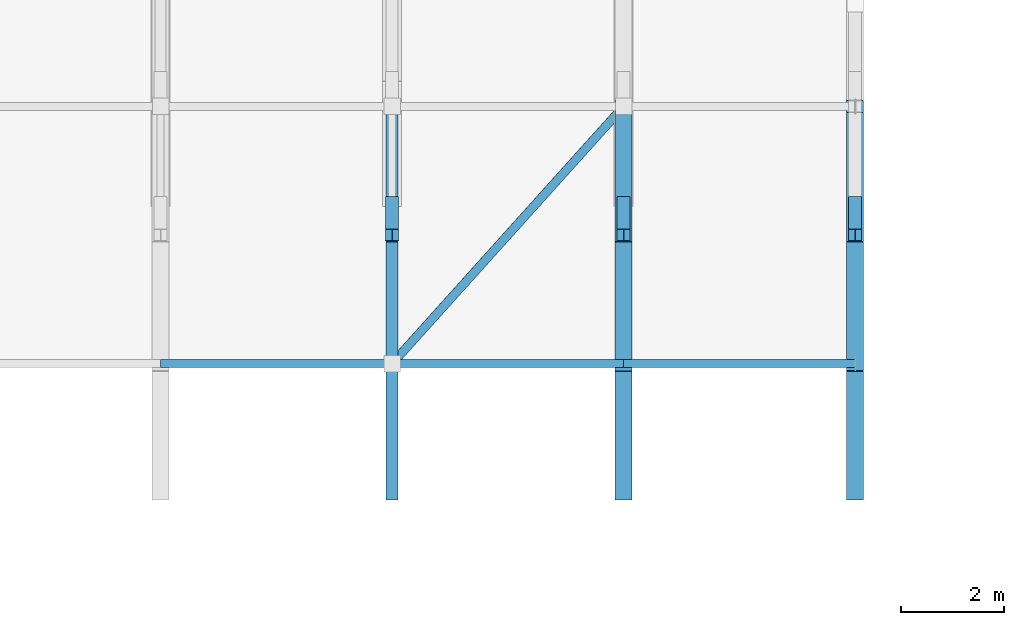
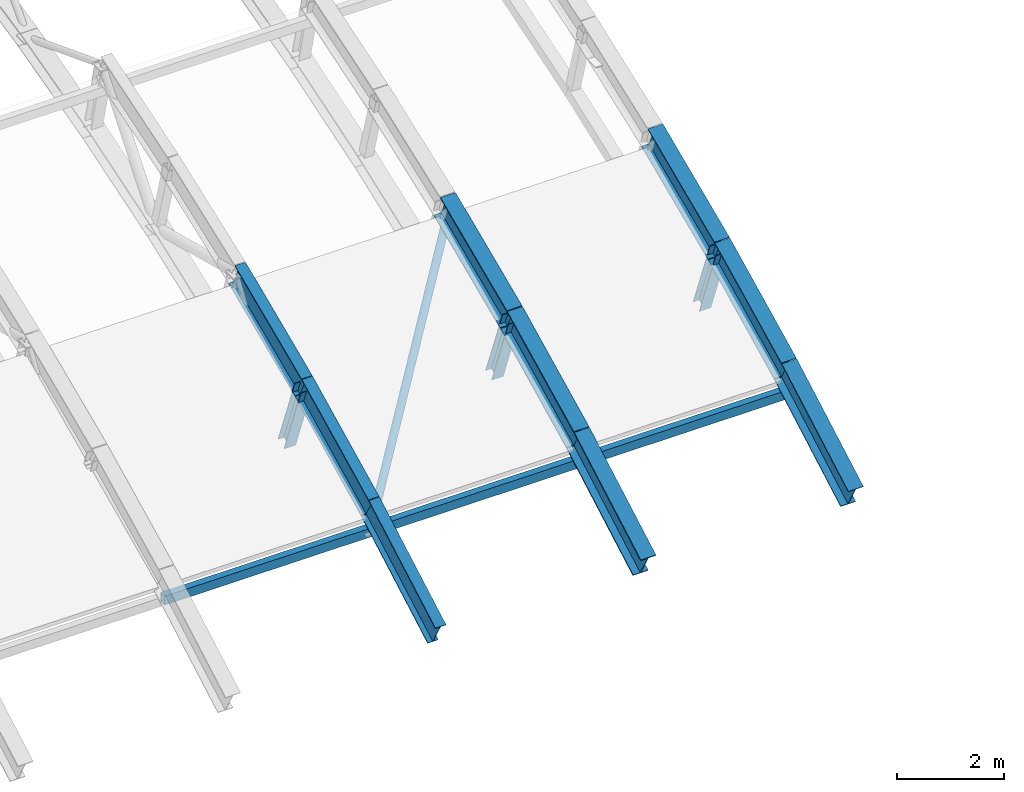
# One storey, part 61 of 103: 9 beams, 7 members.
"""IFC4 building model written with IfcOpenShell, lengths in metres."""

from ifc_helpers import new_model, si_unit, direction, frame, origin, origin_2d, place, context, subcontext, project, spatial, hollow_rectangle, hollow_circle, i_section, extrude, material, material_profile, profile_set, type_object, element, save


model = new_model("IFC4")

# Units and contexts
model_context = context("Model", 3, precision=1e-05, world=origin(), true_north=direction((0.0, 1.0)))
body_context = subcontext(model_context, "Body", "Model", "MODEL_VIEW")
ifc_project = project(units=[si_unit("LENGTHUNIT", "METRE"), si_unit("AREAUNIT", "SQUARE_METRE"), si_unit("VOLUMEUNIT", "CUBIC_METRE"), si_unit("PLANEANGLEUNIT", "RADIAN"), si_unit("MASSUNIT", "GRAM", prefix="KILO")], contexts=[model_context])

# Site, building, storey
site_placement = place(None, origin())
site = spatial("IfcSite", under=ifc_project, at=site_placement, CompositionType="ELEMENT")
building_placement = place(site_placement, origin())
building = spatial("IfcBuilding", under=site, at=building_placement, Name="Cazmaro Siding Exhibition Halls", CompositionType="ELEMENT")
storey_placement = place(building_placement, frame((0.0, 0.0, 16.5)))
storey = spatial("IfcBuildingStorey", under=building, at=storey_placement, Name="L03", CompositionType="ELEMENT", Elevation=16.5)

# Beams
ifc_material_1 = material(Name="Steel ASTM A992 Grade 50", Category="steel")
ifc_material_profile_1 = material_profile(ifc_material_1, i_section(OverallWidth=0.327880859375, OverallDepth=0.626953125, WebThickness=0.01708984375, FlangeThickness=0.028076171875, at=origin_2d()), Name="W24X146")
ifc_profile_set_1 = profile_set([ifc_material_profile_1], Name="Steel ASTM A992 Grade 50")
beam_type_1 = type_object("IfcBeamType", Name="AR-01", PredefinedType="USERDEFINED", material=ifc_profile_set_1)
beam_1_placement = place(storey_placement, frame((166.5, 66.5, -0.60693359375), z_axis=(0.0, 0.871320907359, 0.490713639916), x_axis=(-1.0, 0.0, 0.0)))
element("IfcBeam", 1, at=beam_1_placement, inside=storey, type_object=beam_type_1, Name="Space frame barrel vault arched rib AR-01 BM-1184", ObjectType="ARCHED RIB", PredefinedType="USERDEFINED", context=body_context, shape_type="SweptSolid", body=[
    extrude(i_section(OverallWidth=0.327880859375, OverallDepth=0.626953125, WebThickness=0.01708984375, FlangeThickness=0.028076171875, at=origin_2d()), origin(), (0.0, 0.0, 1.0), 2.869140625),
])
beam_2_placement = place(storey_placement, frame((166.5, 69.0, 0.801025390625), z_axis=(0.0, 0.895996638269, 0.444060833908), x_axis=(-1.0, 0.0, 0.0)))
element("IfcBeam", 2, at=beam_2_placement, inside=storey, type_object=beam_type_1, Name="Space frame barrel vault arched rib AR-01 BM-1185", ObjectType="ARCHED RIB", PredefinedType="USERDEFINED", context=body_context, shape_type="SweptSolid", body=[
    extrude(i_section(OverallWidth=0.327880859375, OverallDepth=0.626953125, WebThickness=0.01708984375, FlangeThickness=0.028076171875, at=origin_2d()), origin(), (0.0, 0.0, 1.0), 2.790283203125),
])
beam_3_placement = place(storey_placement, frame((166.5, 71.5, 2.0400390625), z_axis=(0.0, 0.917729918626, 0.397204980405), x_axis=(-1.0, 0.0, 0.0)))
element("IfcBeam", 3, at=beam_3_placement, inside=storey, type_object=beam_type_1, Name="Space frame barrel vault arched rib AR-01 BM-1186", ObjectType="ARCHED RIB", PredefinedType="USERDEFINED", context=body_context, shape_type="SweptSolid", body=[
    extrude(i_section(OverallWidth=0.327880859375, OverallDepth=0.626953125, WebThickness=0.01708984375, FlangeThickness=0.028076171875, at=origin_2d()), origin(), (0.0, 0.0, 1.0), 2.72412109375),
])
ifc_material_2 = material(Name="Steel ASTM A992 Grade 50", Category="steel")
ifc_material_profile_2 = material_profile(ifc_material_2, i_section(OverallWidth=0.324951171875, OverallDepth=0.612060546875, WebThickness=0.012939453125, FlangeThickness=0.01904296875, at=origin_2d()), Name="W24X104")
ifc_profile_set_2 = profile_set([ifc_material_profile_2], Name="Steel ASTM A992 Grade 50")
beam_type_2 = type_object("IfcBeamType", Name="AR-02", PredefinedType="USERDEFINED", material=ifc_profile_set_2)
beam_4_placement = place(storey_placement, frame((171.0, 66.5, -0.60693359375), z_axis=(0.0, 0.871320907359, 0.490713639916), x_axis=(-1.0, 0.0, 0.0)))
element("IfcBeam", 4, at=beam_4_placement, inside=storey, type_object=beam_type_2, Name="Space frame barrel vault arched rib AR-02 BM-1208", ObjectType="ARCHED RIB", PredefinedType="USERDEFINED", context=body_context, shape_type="SweptSolid", body=[
    extrude(i_section(OverallWidth=0.324951171875, OverallDepth=0.612060546875, WebThickness=0.012939453125, FlangeThickness=0.01904296875, at=origin_2d()), origin(), (0.0, 0.0, 1.0), 2.869140625),
])
beam_5_placement = place(storey_placement, frame((171.0, 69.0, 0.801025390625), z_axis=(0.0, 0.895996638269, 0.444060833908), x_axis=(-1.0, 0.0, 0.0)))
element("IfcBeam", 5, at=beam_5_placement, inside=storey, type_object=beam_type_2, Name="Space frame barrel vault arched rib AR-02 BM-1209", ObjectType="ARCHED RIB", PredefinedType="USERDEFINED", context=body_context, shape_type="SweptSolid", body=[
    extrude(i_section(OverallWidth=0.324951171875, OverallDepth=0.612060546875, WebThickness=0.012939453125, FlangeThickness=0.01904296875, at=origin_2d()), origin(), (0.0, 0.0, 1.0), 2.790283203125),
])
beam_6_placement = place(storey_placement, frame((171.0, 71.5, 2.0400390625), z_axis=(0.0, 0.917729918626, 0.397204980405), x_axis=(-1.0, 0.0, 0.0)))
element("IfcBeam", 6, at=beam_6_placement, inside=storey, type_object=beam_type_2, Name="Space frame barrel vault arched rib AR-02 BM-1210", ObjectType="ARCHED RIB", PredefinedType="USERDEFINED", context=body_context, shape_type="SweptSolid", body=[
    extrude(i_section(OverallWidth=0.324951171875, OverallDepth=0.612060546875, WebThickness=0.012939453125, FlangeThickness=0.01904296875, at=origin_2d()), origin(), (0.0, 0.0, 1.0), 2.72412109375),
])
ifc_material_3 = material(Name="Steel ASTM A992 Grade 50", Category="steel")
ifc_material_profile_3 = material_profile(ifc_material_3, i_section(OverallWidth=0.22900390625, OverallDepth=0.612060546875, WebThickness=0.011962890625, FlangeThickness=0.02001953125, at=origin_2d()), Name="W24X84")
ifc_profile_set_3 = profile_set([ifc_material_profile_3], Name="Steel ASTM A992 Grade 50")
beam_type_3 = type_object("IfcBeamType", Name="AR-03", PredefinedType="USERDEFINED", material=ifc_profile_set_3)
beam_7_placement = place(storey_placement, frame((162.0, 66.5, -0.60693359375), z_axis=(0.0, 0.871320907359, 0.490713639916), x_axis=(-1.0, 0.0, 0.0)))
element("IfcBeam", 7, at=beam_7_placement, inside=storey, type_object=beam_type_3, Name="Space frame barrel vault arched rib AR-03 BM-1160", ObjectType="ARCHED RIB", PredefinedType="USERDEFINED", context=body_context, shape_type="SweptSolid", body=[
    extrude(i_section(OverallWidth=0.22900390625, OverallDepth=0.612060546875, WebThickness=0.011962890625, FlangeThickness=0.02001953125, at=origin_2d()), origin(), (0.0, 0.0, 1.0), 2.869140625),
])
beam_8_placement = place(storey_placement, frame((162.0, 69.0, 0.801025390625), z_axis=(0.0, 0.895996638269, 0.444060833908), x_axis=(-1.0, 0.0, 0.0)))
element("IfcBeam", 8, at=beam_8_placement, inside=storey, type_object=beam_type_3, Name="Space frame barrel vault arched rib AR-03 BM-1161", ObjectType="ARCHED RIB", PredefinedType="USERDEFINED", context=body_context, shape_type="SweptSolid", body=[
    extrude(i_section(OverallWidth=0.22900390625, OverallDepth=0.612060546875, WebThickness=0.011962890625, FlangeThickness=0.02001953125, at=origin_2d()), origin(), (0.0, 0.0, 1.0), 2.790283203125),
])
beam_9_placement = place(storey_placement, frame((162.0, 71.5, 2.0400390625), z_axis=(0.0, 0.917729918626, 0.397204980405), x_axis=(-1.0, 0.0, 0.0)))
element("IfcBeam", 9, at=beam_9_placement, inside=storey, type_object=beam_type_3, Name="Space frame barrel vault arched rib AR-03 BM-1162", ObjectType="ARCHED RIB", PredefinedType="USERDEFINED", context=body_context, shape_type="SweptSolid", body=[
    extrude(i_section(OverallWidth=0.22900390625, OverallDepth=0.612060546875, WebThickness=0.011962890625, FlangeThickness=0.02001953125, at=origin_2d()), origin(), (0.0, 0.0, 1.0), 2.72412109375),
])

# Members
ifc_material_4 = material(Name="Steel ASTM A500 Grade C", Category="steel")
ifc_material_profile_4 = material_profile(ifc_material_4, hollow_rectangle(XDim=0.152099609375, YDim=0.202880859375, WallThickness=0.011962890625, at=origin_2d()), Name="HSS8X6X1/2")
ifc_profile_set_4 = profile_set([ifc_material_profile_4], Name="Steel ASTM A500 Grade C")
member_type_1 = type_object("IfcMemberType", Name="RP-01", PredefinedType="PURLIN", material=ifc_profile_set_4)
for number, where, z_axis, x_axis, name in (
    (10, (157.5, 69.0, 0.260986328125), (1.0, 0.0, 0.0), (0.0, 1.0, 0.0), "Space frame barrel vault purlin RP-01 MEM-2263"),
    (11, (162.0, 69.0, 0.260986328125), (1.0, 0.0, 0.0), (0.0, 1.0, 0.0), "Space frame barrel vault purlin RP-01 MEM-2274"),
    (12, (166.5, 69.0, 0.260986328125), (1.0, 0.0, 0.0), (0.0, 1.0, 0.0), "Space frame barrel vault purlin RP-01 MEM-2291"),
):
    element("IfcMember", number, at=place(storey_placement, frame(where, z_axis=z_axis, x_axis=x_axis)), inside=storey, type_object=member_type_1, Name=name, PredefinedType="PURLIN", context=body_context, shape_type="SweptSolid", body=[
        extrude(hollow_rectangle(XDim=0.152099609375, YDim=0.202880859375, WallThickness=0.011962890625, at=origin_2d()), origin(), (0.0, 0.0, 1.0), 4.5),
    ])
ifc_material_5 = material(Name="Steel ASTM A992 Grade 50", Category="steel")
ifc_material_profile_5 = material_profile(ifc_material_5, i_section(OverallWidth=0.25390625, OverallDepth=0.25390625, WebThickness=0.009033203125, FlangeThickness=0.013916015625, at=origin_2d()), Name="W10X49")
ifc_profile_set_5 = profile_set([ifc_material_profile_5], Name="Steel ASTM A992 Grade 50")
member_type_2 = type_object("IfcMemberType", Name="TP-04", PredefinedType="POST", material=ifc_profile_set_5)
for number, where, z_axis, x_axis, name in (
    (13, (162.0, 72.131103515625, 0.37890625), (0.0, -0.355155331276, 0.934807301355), (1.0, 0.0, 0.0), "Space frame barrel vault post TP-04 MEM-1849"),
    (14, (166.5, 72.131103515625, 0.37890625), (0.0, -0.355155331276, 0.934807301355), (1.0, 0.0, 0.0), "Space frame barrel vault post TP-04 MEM-1896"),
    (15, (171.0, 72.131103515625, 0.37890625), (0.0, -0.355155331276, 0.934807301355), (1.0, 0.0, 0.0), "Space frame barrel vault post TP-04 MEM-1943"),
):
    element("IfcMember", number, at=place(storey_placement, frame(where, z_axis=z_axis, x_axis=x_axis)), inside=storey, type_object=member_type_2, Name=name, PredefinedType="POST", context=body_context, shape_type="SweptSolid", body=[
        extrude(i_section(OverallWidth=0.25390625, OverallDepth=0.25390625, WebThickness=0.009033203125, FlangeThickness=0.013916015625, at=origin_2d()), origin(), (0.0, 0.0, 1.0), 1.777099609375),
    ])
ifc_material_6 = material(Name="Steel ASTM A500 Grade C", Category="steel")
ifc_material_profile_6 = material_profile(ifc_material_6, hollow_circle(Radius=0.083984375, WallThickness=0.01806640625, at=origin_2d()), Name="PIPE6XXS")
ifc_profile_set_6 = profile_set([ifc_material_profile_6], Name="Steel ASTM A500 Grade C")
member_type_3 = type_object("IfcMemberType", Name="WB-05", PredefinedType="BRACE", material=ifc_profile_set_6)
member_placement = place(storey_placement, frame((162.0, 69.0, 0.260986328125), z_axis=(0.632379029545, 0.702643366161, 0.326173363384), x_axis=(-0.743294146247, 0.668964731622, 0.0)))
element("IfcMember", 16, at=member_placement, inside=storey, type_object=member_type_3, Name="Space frame barrel vault wind brace WB-05 MEM-2285", PredefinedType="BRACE", context=body_context, shape_type="SweptSolid", body=[
    extrude(hollow_circle(Radius=0.083984375, WallThickness=0.01806640625, at=origin_2d()), origin(), (0.0, 0.0, 1.0), 7.115966796875),
])

save(model, "model.ifc")
